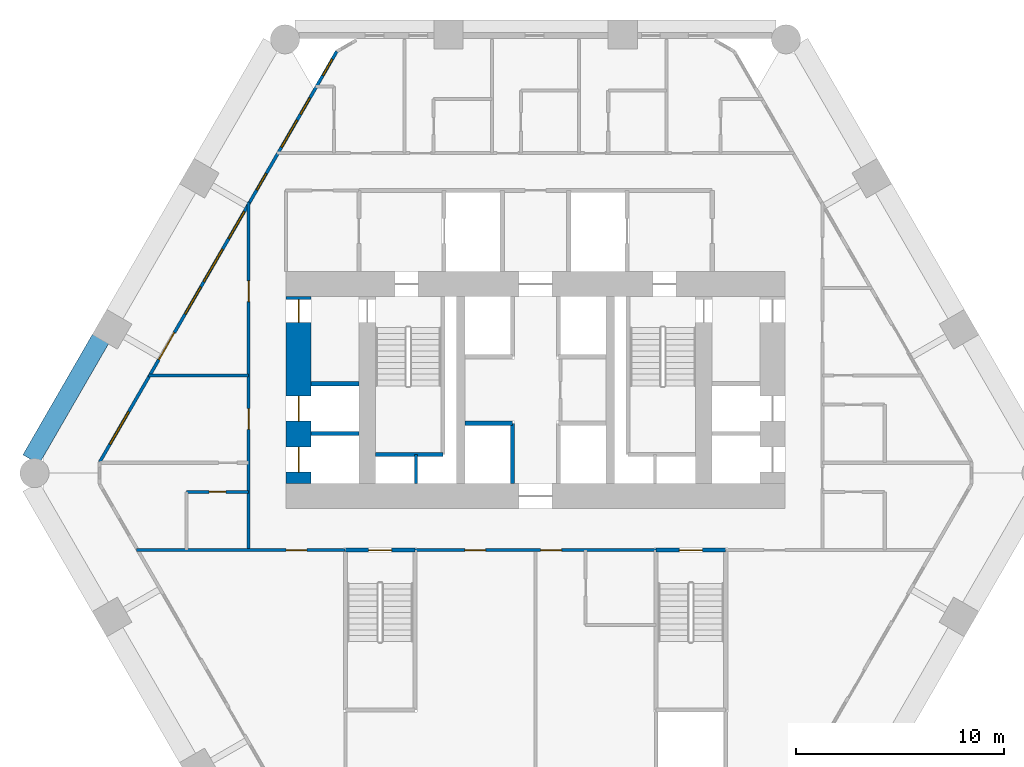
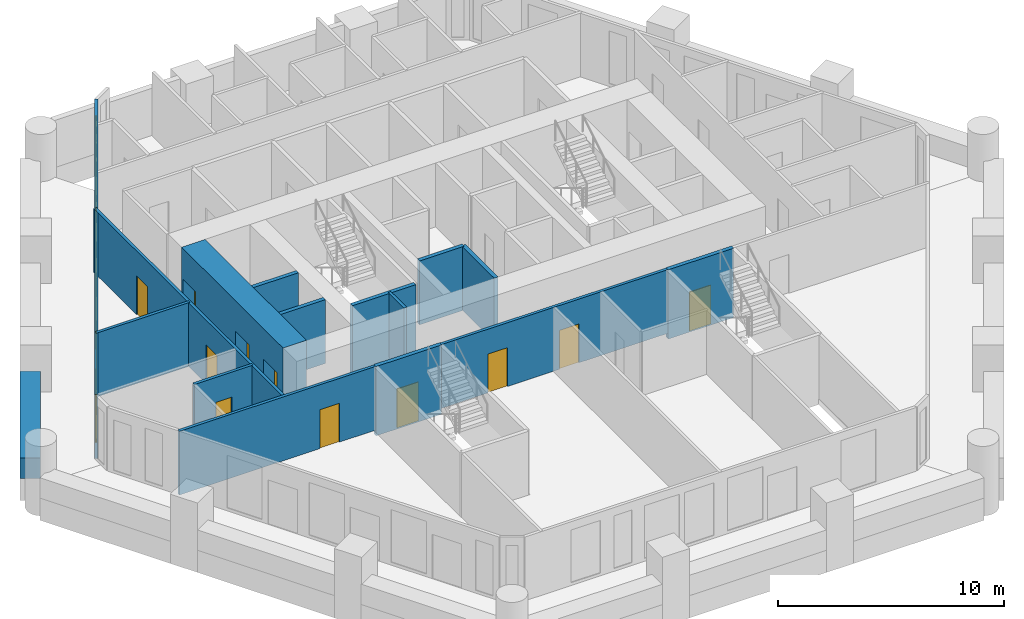
# One storey, part 3 of 8: 16 walls, 12 doors, 8 windows, 20 openings.
"""IFC4 building model written with IfcOpenShell, lengths in metres."""

from ifc_helpers import new_model, si_unit, direction, frame, frame_2d, origin, place, context, subcontext, project, spatial, rectangle, extrude, material, layer, layer_set, type_object, element, fill, save


model = new_model("IFC4")

# Units and contexts
model_context = context("Model", 3, precision=1e-05, world=origin(), true_north=direction((0.0, 1.0)))
body_context = subcontext(model_context, "Body", "Model", "MODEL_VIEW")
ifc_project = project(units=[si_unit("LENGTHUNIT", "METRE"), si_unit("AREAUNIT", "SQUARE_METRE"), si_unit("VOLUMEUNIT", "CUBIC_METRE"), si_unit("PLANEANGLEUNIT", "RADIAN"), si_unit("MASSUNIT", "GRAM", prefix="KILO")], contexts=[model_context])

# Site, building, storey
site_placement = place(None, origin())
site = spatial("IfcSite", under=ifc_project, at=site_placement, CompositionType="ELEMENT")
building_placement = place(site_placement, origin())
building = spatial("IfcBuilding", under=site, at=building_placement, Name="Ostrander Bayou Hotel Tower", CompositionType="ELEMENT")
storey_placement = place(building_placement, frame((0.0, 0.0, 28.0)))
storey = spatial("IfcBuildingStorey", under=building, at=storey_placement, Name="L06", CompositionType="ELEMENT", Elevation=28.0)

# Wall, openings, doors
ifc_material_1 = material(Name="Concrete f'c 70 MPa", Category="concrete")
ifc_layer_1 = layer(ifc_material_1, 1.199951171875)
ifc_layer_set_1 = layer_set([ifc_layer_1], Name="CW1 core wall 1200 mm f'c 70 MPa")
wall_type_1 = type_object("IfcWallType", Name="CW1 core wall 1200 mm f'c 70 MPa", PredefinedType="SHEAR", material=ifc_layer_set_1)
wall_1_placement = place(storey_placement, frame((-11.39990234375, -0.5, -0.300048828125), z_axis=(0.0, 0.0, 1.0), x_axis=(0.0, 1.0, 0.0)))
wall_1 = element("IfcWall", 1, at=wall_1_placement, inside=storey, type_object=wall_type_1, Name="CW1 L06 RW", PredefinedType="SHEAR", context=body_context, shape_type="SweptSolid", body=[
    extrude(rectangle(XDim=9.0, YDim=1.199951171875, at=frame_2d((4.5, 0.0))), origin(), (0.0, 0.0, 1.0), 3.75),
])
opening_1_placement = place(wall_1_placement, frame((7.75, 0.0, 0.0)))
opening_1 = element("IfcOpeningElement", 2, at=opening_1_placement, cuts=wall_1, Name="Opening T06-015", PredefinedType="OPENING", context=body_context, shape_type="SweptSolid", body=[
    extrude(rectangle(XDim=1.10009765625, YDim=2.10009765625, at=frame_2d((0.550048828125, 1.050048828125))), frame((0.0, 0.60009765625, 0.0), z_axis=(0.0, -1.0, 0.0), x_axis=(1.0, 0.0, 0.0)), (0.0, 0.0, 1.0), 1.199951171875),
])
opening_2_placement = place(wall_1_placement, frame((0.550048828125, 0.0, 0.0)))
opening_2 = element("IfcOpeningElement", 3, at=opening_2_placement, cuts=wall_1, Name="Opening T06-016", PredefinedType="OPENING", context=body_context, shape_type="SweptSolid", body=[
    extrude(rectangle(XDim=1.199951171875, YDim=2.10009765625, at=frame_2d((0.60009765625, 1.050048828125))), frame((0.0, 0.60009765625, 0.0), z_axis=(0.0, -1.0, 0.0), x_axis=(1.0, 0.0, 0.0)), (0.0, 0.0, 1.0), 1.199951171875),
])
opening_3_placement = place(wall_1_placement, frame((3.0, 0.0, 0.0)))
opening_3 = element("IfcOpeningElement", 4, at=opening_3_placement, cuts=wall_1, Name="Opening T06-017", PredefinedType="OPENING", context=body_context, shape_type="SweptSolid", body=[
    extrude(rectangle(XDim=1.199951171875, YDim=2.10009765625, at=frame_2d((0.60009765625, 1.050048828125))), frame((0.0, 0.60009765625, 0.0), z_axis=(0.0, -1.0, 0.0), x_axis=(1.0, 0.0, 0.0)), (0.0, 0.0, 1.0), 1.199951171875),
])
ifc_material_2 = material(Name="Timber door leaf", Category="wood")
door_type_1 = type_object("IfcDoorType", Name="D5 stair door 1100 x 2100 mm, 90 minute", OperationType="SINGLE_SWING_LEFT", PredefinedType="DOOR", material=ifc_material_2)
door_1_placement = place(opening_1_placement, origin())
door_1 = element("IfcDoor", 5, at=door_1_placement, inside=storey, type_object=door_type_1, Name="dr:L06:015", OperationType="SINGLE_SWING_LEFT", OverallHeight=2.10009765625, OverallWidth=1.10009765625, PredefinedType="DOOR", context=body_context, shape_type="SweptSolid", body=[
    extrude(rectangle(XDim=1.10009765625, YDim=2.10009765625, at=frame_2d((0.550048828125, 1.050048828125))), frame((0.0, 0.02490234375, 0.0), z_axis=(0.0, -1.0, 0.0), x_axis=(1.0, 0.0, 0.0)), (0.0, 0.0, 1.0), 0.050048828125),
])
fill(opening_1, door_1)
ifc_material_3 = material(Name="Stainless steel sliding door", Category="steel")
door_type_2 = type_object("IfcDoorType", Name="LD1 lift landing door 1200 x 2100 mm", OperationType="SINGLE_SWING_LEFT", PredefinedType="DOOR", material=ifc_material_3)
door_2_placement = place(opening_2_placement, origin())
door_2 = element("IfcDoor", 6, at=door_2_placement, inside=storey, type_object=door_type_2, Name="dr:L06:016", OperationType="SLIDING_TO_LEFT", OverallHeight=2.10009765625, OverallWidth=1.199951171875, PredefinedType="DOOR", context=body_context, shape_type="SweptSolid", body=[
    extrude(rectangle(XDim=1.199951171875, YDim=2.10009765625, at=frame_2d((0.60009765625, 1.050048828125))), frame((0.0, 0.02490234375, 0.0), z_axis=(0.0, -1.0, 0.0), x_axis=(1.0, 0.0, 0.0)), (0.0, 0.0, 1.0), 0.050048828125),
])
fill(opening_2, door_2)
door_3_placement = place(opening_3_placement, origin())
door_3 = element("IfcDoor", 7, at=door_3_placement, inside=storey, type_object=door_type_2, Name="dr:L06:017", OperationType="SLIDING_TO_LEFT", OverallHeight=2.10009765625, OverallWidth=1.199951171875, PredefinedType="DOOR", context=body_context, shape_type="SweptSolid", body=[
    extrude(rectangle(XDim=1.199951171875, YDim=2.10009765625, at=frame_2d((0.60009765625, 1.050048828125))), frame((0.0, 0.02490234375, 0.0), z_axis=(0.0, -1.0, 0.0), x_axis=(1.0, 0.0, 0.0)), (0.0, 0.0, 1.0), 0.050048828125),
])
fill(opening_3, door_3)

# Wall, openings, door, windows
ifc_material_4 = material(Name="Aluminium framed insulated wall", Category="aluminium")
ifc_layer_2 = layer(ifc_material_4, 0.14990234375)
ifc_layer_set_2 = layer_set([ifc_layer_2], Name="GW1 glass-line wall 150 mm")
wall_type_2 = type_object("IfcWallType", Name="GW1 glass-line wall 150 mm", PredefinedType="SOLIDWALL", material=ifc_layer_set_2)
wall_2_placement = place(storey_placement, frame((-9.5595703125, 20.29248046875, 0.0), z_axis=(0.0, 0.0, 1.0), x_axis=(-0.500000010132, -0.866025397935, 0.0)))
wall_2 = element("IfcWall", 8, at=wall_2_placement, inside=storey, type_object=wall_type_2, Name="GW1 L06 NW 1", PredefinedType="SOLIDWALL", context=body_context, shape_type="SweptSolid", body=[
    extrude(rectangle(XDim=22.81689453125, YDim=0.14990234375, at=frame_2d((11.408447265625, 0.0))), origin(), (0.0, 0.0, 1.0), 3.449951171875),
])
opening_4_placement = place(wall_2_placement, frame((2.593994140625, 0.0, 0.14990234375)))
opening_4 = element("IfcOpeningElement", 9, at=opening_4_placement, cuts=wall_2, Name="Opening W15", PredefinedType="OPENING", context=body_context, shape_type="SweptSolid", body=[
    extrude(rectangle(XDim=0.89990234375, YDim=2.85009765625, at=frame_2d((0.449951171875, 1.425048828125))), frame((0.0, 0.074951171875, 0.0), z_axis=(0.0, -1.0, 0.0), x_axis=(1.0, 0.0, 0.0)), (0.0, 0.0, 1.0), 0.14990234375),
])
opening_5_placement = place(wall_2_placement, frame((3.8251953125, 0.0, 0.14990234375)))
opening_5 = element("IfcOpeningElement", 10, at=opening_5_placement, cuts=wall_2, Name="Opening W11", PredefinedType="OPENING", context=body_context, shape_type="SweptSolid", body=[
    extrude(rectangle(XDim=1.5, YDim=2.85009765625, at=frame_2d((0.75, 1.425048828125))), frame((0.0, 0.074951171875, 0.0), z_axis=(0.0, -1.0, 0.0), x_axis=(1.0, 0.0, 0.0)), (0.0, 0.0, 1.0), 0.14990234375),
])
opening_6_placement = place(wall_2_placement, frame((6.794189453125, 0.0, 0.14990234375)))
opening_6 = element("IfcOpeningElement", 11, at=opening_6_placement, cuts=wall_2, Name="Opening W15", PredefinedType="OPENING", context=body_context, shape_type="SweptSolid", body=[
    extrude(rectangle(XDim=0.89990234375, YDim=2.85009765625, at=frame_2d((0.449951171875, 1.425048828125))), frame((0.0, 0.074951171875, 0.0), z_axis=(0.0, -1.0, 0.0), x_axis=(1.0, 0.0, 0.0)), (0.0, 0.0, 1.0), 0.14990234375),
])
opening_7_placement = place(wall_2_placement, frame((8.89404296875, 0.0, 0.14990234375)))
opening_7 = element("IfcOpeningElement", 12, at=opening_7_placement, cuts=wall_2, Name="Opening W11", PredefinedType="OPENING", context=body_context, shape_type="SweptSolid", body=[
    extrude(rectangle(XDim=1.5, YDim=2.85009765625, at=frame_2d((0.75, 1.425048828125))), frame((0.0, 0.074951171875, 0.0), z_axis=(0.0, -1.0, 0.0), x_axis=(1.0, 0.0, 0.0)), (0.0, 0.0, 1.0), 0.14990234375),
])
opening_8_placement = place(wall_2_placement, frame((10.994140625, 0.0, 0.14990234375)))
opening_8 = element("IfcOpeningElement", 13, at=opening_8_placement, cuts=wall_2, Name="Opening W1", PredefinedType="OPENING", context=body_context, shape_type="SweptSolid", body=[
    extrude(rectangle(XDim=1.800048828125, YDim=2.85009765625, at=frame_2d((0.89990234375, 1.425048828125))), frame((0.0, 0.074951171875, 0.0), z_axis=(0.0, -1.0, 0.0), x_axis=(1.0, 0.0, 0.0)), (0.0, 0.0, 1.0), 0.14990234375),
])
opening_9_placement = place(wall_2_placement, frame((13.093994140625, 0.0, 0.14990234375)))
opening_9 = element("IfcOpeningElement", 14, at=opening_9_placement, cuts=wall_2, Name="Opening W11", PredefinedType="OPENING", context=body_context, shape_type="SweptSolid", body=[
    extrude(rectangle(XDim=1.5, YDim=2.85009765625, at=frame_2d((0.75, 1.425048828125))), frame((0.0, 0.074951171875, 0.0), z_axis=(0.0, -1.0, 0.0), x_axis=(1.0, 0.0, 0.0)), (0.0, 0.0, 1.0), 0.14990234375),
])
opening_10_placement = place(wall_2_placement, frame((15.630859375, 0.0, 0.0)))
opening_10 = element("IfcOpeningElement", 15, at=opening_10_placement, cuts=wall_2, Name="Opening T06-800", PredefinedType="OPENING", context=body_context, shape_type="SweptSolid", body=[
    extrude(rectangle(XDim=1.5, YDim=2.39990234375, at=frame_2d((0.75, 1.199951171875))), frame((0.0, 0.074951171875, 0.0), z_axis=(0.0, -1.0, 0.0), x_axis=(1.0, 0.0, 0.0)), (0.0, 0.0, 1.0), 0.14990234375),
])
opening_11_placement = place(wall_2_placement, frame((0.440185546875, 0.0, 0.14990234375)))
opening_11 = element("IfcOpeningElement", 16, at=opening_11_placement, cuts=wall_2, Name="Opening W15", PredefinedType="OPENING", context=body_context, shape_type="SweptSolid", body=[
    extrude(rectangle(XDim=0.89990234375, YDim=2.72998046875, at=frame_2d((0.449951171875, 1.364990234375))), frame((0.0, 0.074951171875, 0.0), z_axis=(0.0, -1.0, 0.0), x_axis=(1.0, 0.0, 0.0)), (0.0, 0.0, 1.0), 0.14990234375),
])
opening_12_placement = place(wall_2_placement, frame((20.024169921875, 0.0, 0.14990234375)))
opening_12 = element("IfcOpeningElement", 17, at=opening_12_placement, cuts=wall_2, Name="Opening W1", PredefinedType="OPENING", context=body_context, shape_type="SweptSolid", body=[
    extrude(rectangle(XDim=1.800048828125, YDim=2.72998046875, at=frame_2d((0.89990234375, 1.364990234375))), frame((0.0, 0.074951171875, 0.0), z_axis=(0.0, -1.0, 0.0), x_axis=(1.0, 0.0, 0.0)), (0.0, 0.0, 1.0), 0.14990234375),
])
ifc_material_5 = material(Name="Aluminium and clear glass", Category="aluminium")
door_type_3 = type_object("IfcDoorType", Name="SD1 sliding glass door 1500 mm, zone 1", OperationType="SLIDING_TO_LEFT", PredefinedType="DOOR", material=ifc_material_5)
door_4_placement = place(opening_10_placement, origin())
door_4 = element("IfcDoor", 18, at=door_4_placement, inside=storey, type_object=door_type_3, Name="SD1 L06 NW 4", OperationType="SLIDING_TO_RIGHT", OverallHeight=2.39990234375, OverallWidth=1.5, PredefinedType="DOOR", context=body_context, shape_type="SweptSolid", body=[
    extrude(rectangle(XDim=1.5, YDim=2.39990234375, at=frame_2d((0.75, 1.199951171875))), frame((0.0, 0.02490234375, 0.0), z_axis=(0.0, -1.0, 0.0), x_axis=(1.0, 0.0, 0.0)), (0.0, 0.0, 1.0), 0.050048828125),
])
fill(opening_10, door_4)
ifc_material_6 = material(Name="Aluminium and clear glass", Category="aluminium")
window_type_1 = type_object("IfcWindowType", Name="W1 fixed window 1800 mm, zone 1", PartitioningType="SINGLE_PANEL", PredefinedType="WINDOW", material=ifc_material_6)
window_1_placement = place(opening_8_placement, origin())
window_1 = element("IfcWindow", 19, at=window_1_placement, inside=storey, type_object=window_type_1, Name="W1 L06 NW 3", OverallHeight=2.85009765625, OverallWidth=1.800048828125, PartitioningType="SINGLE_PANEL", PredefinedType="WINDOW", context=body_context, shape_type="SweptSolid", body=[
    extrude(rectangle(XDim=1.800048828125, YDim=2.85009765625, at=frame_2d((0.89990234375, 1.425048828125))), frame((0.0, 0.030029296875, 0.0), z_axis=(0.0, -1.0, 0.0), x_axis=(1.0, 0.0, 0.0)), (0.0, 0.0, 1.0), 0.06005859375),
])
fill(opening_8, window_1)
window_2_placement = place(opening_12_placement, origin())
window_2 = element("IfcWindow", 20, at=window_2_placement, inside=storey, type_object=window_type_1, Name="W1 L06 NW E21", OverallHeight=2.72998046875, OverallWidth=1.800048828125, PartitioningType="SINGLE_PANEL", PredefinedType="WINDOW", context=body_context, shape_type="SweptSolid", body=[
    extrude(rectangle(XDim=1.800048828125, YDim=2.72998046875, at=frame_2d((0.89990234375, 1.364990234375))), frame((0.0, 0.030029296875, 0.0), z_axis=(0.0, -1.0, 0.0), x_axis=(1.0, 0.0, 0.0)), (0.0, 0.0, 1.0), 0.06005859375),
])
fill(opening_12, window_2)
ifc_material_7 = material(Name="Aluminium and clear glass", Category="aluminium")
window_type_2 = type_object("IfcWindowType", Name="W11 fixed window 1500 mm, bath bay, zone 1", PartitioningType="SINGLE_PANEL", PredefinedType="WINDOW", material=ifc_material_7)
window_3_placement = place(opening_5_placement, origin())
window_3 = element("IfcWindow", 21, at=window_3_placement, inside=storey, type_object=window_type_2, Name="W11 L06 NW 1", OverallHeight=2.85009765625, OverallWidth=1.5, PartitioningType="SINGLE_PANEL", PredefinedType="WINDOW", context=body_context, shape_type="SweptSolid", body=[
    extrude(rectangle(XDim=1.5, YDim=2.85009765625, at=frame_2d((0.75, 1.425048828125))), frame((0.0, 0.030029296875, 0.0), z_axis=(0.0, -1.0, 0.0), x_axis=(1.0, 0.0, 0.0)), (0.0, 0.0, 1.0), 0.06005859375),
])
fill(opening_5, window_3)
window_4_placement = place(opening_7_placement, origin())
window_4 = element("IfcWindow", 22, at=window_4_placement, inside=storey, type_object=window_type_2, Name="W11 L06 NW 2", OverallHeight=2.85009765625, OverallWidth=1.5, PartitioningType="SINGLE_PANEL", PredefinedType="WINDOW", context=body_context, shape_type="SweptSolid", body=[
    extrude(rectangle(XDim=1.5, YDim=2.85009765625, at=frame_2d((0.75, 1.425048828125))), frame((0.0, 0.030029296875, 0.0), z_axis=(0.0, -1.0, 0.0), x_axis=(1.0, 0.0, 0.0)), (0.0, 0.0, 1.0), 0.06005859375),
])
fill(opening_7, window_4)
window_5_placement = place(opening_9_placement, origin())
window_5 = element("IfcWindow", 23, at=window_5_placement, inside=storey, type_object=window_type_2, Name="W11 L06 NW 3", OverallHeight=2.85009765625, OverallWidth=1.5, PartitioningType="SINGLE_PANEL", PredefinedType="WINDOW", context=body_context, shape_type="SweptSolid", body=[
    extrude(rectangle(XDim=1.5, YDim=2.85009765625, at=frame_2d((0.75, 1.425048828125))), frame((0.0, 0.030029296875, 0.0), z_axis=(0.0, -1.0, 0.0), x_axis=(1.0, 0.0, 0.0)), (0.0, 0.0, 1.0), 0.06005859375),
])
fill(opening_9, window_5)
ifc_material_8 = material(Name="Aluminium and clear glass", Category="aluminium")
window_type_3 = type_object("IfcWindowType", Name="W15 window 900 mm, zone 1", PartitioningType="SINGLE_PANEL", PredefinedType="WINDOW", material=ifc_material_8)
window_6_placement = place(opening_4_placement, origin())
window_6 = element("IfcWindow", 24, at=window_6_placement, inside=storey, type_object=window_type_3, Name="W15 L06 NW 1", OverallHeight=2.85009765625, OverallWidth=0.89990234375, PartitioningType="SINGLE_PANEL", PredefinedType="WINDOW", context=body_context, shape_type="SweptSolid", body=[
    extrude(rectangle(XDim=0.89990234375, YDim=2.85009765625, at=frame_2d((0.449951171875, 1.425048828125))), frame((0.0, 0.030029296875, 0.0), z_axis=(0.0, -1.0, 0.0), x_axis=(1.0, 0.0, 0.0)), (0.0, 0.0, 1.0), 0.06005859375),
])
fill(opening_4, window_6)
window_7_placement = place(opening_6_placement, origin())
window_7 = element("IfcWindow", 25, at=window_7_placement, inside=storey, type_object=window_type_3, Name="W15 L06 NW 2", OverallHeight=2.85009765625, OverallWidth=0.89990234375, PartitioningType="SINGLE_PANEL", PredefinedType="WINDOW", context=body_context, shape_type="SweptSolid", body=[
    extrude(rectangle(XDim=0.89990234375, YDim=2.85009765625, at=frame_2d((0.449951171875, 1.425048828125))), frame((0.0, 0.030029296875, 0.0), z_axis=(0.0, -1.0, 0.0), x_axis=(1.0, 0.0, 0.0)), (0.0, 0.0, 1.0), 0.06005859375),
])
fill(opening_6, window_7)
window_8_placement = place(opening_11_placement, origin())
window_8 = element("IfcWindow", 26, at=window_8_placement, inside=storey, type_object=window_type_3, Name="W15 L06 NW E11", OverallHeight=2.72998046875, OverallWidth=0.89990234375, PartitioningType="SINGLE_PANEL", PredefinedType="WINDOW", context=body_context, shape_type="SweptSolid", body=[
    extrude(rectangle(XDim=0.89990234375, YDim=2.72998046875, at=frame_2d((0.449951171875, 1.364990234375))), frame((0.0, 0.030029296875, 0.0), z_axis=(0.0, -1.0, 0.0), x_axis=(1.0, 0.0, 0.0)), (0.0, 0.0, 1.0), 0.06005859375),
])
fill(opening_11, window_8)

# Walls
ifc_material_9 = material(Name="Concrete f'c 40 MPa", Category="concrete")
ifc_layer_3 = layer(ifc_material_9, 0.89990234375)
ifc_layer_set_3 = layer_set([ifc_layer_3], Name="PA1 stone-faced parapet 900 mm")
wall_type_3 = type_object("IfcWallType", Name="PA1 stone-faced parapet 900 mm", PredefinedType="PARAPET", material=ifc_layer_set_3)
wall_3_placement = place(storey_placement, frame((-20.92236328125, 6.46142578125, 0.0), z_axis=(0.0, 0.0, 1.0), x_axis=(-0.500005133765, -0.866022439784, 0.0)))
element("IfcWall", 27, at=wall_3_placement, inside=storey, type_object=wall_type_3, Name="PA1 L06 NW-3", PredefinedType="PARAPET", context=body_context, shape_type="SweptSolid", body=[
    extrude(rectangle(XDim=6.70361328125, YDim=0.89990234375, at=frame_2d((3.351806640625, 0.0))), origin(), (0.0, 0.0, 1.0), 1.10009765625),
])
ifc_material_10 = material(Name="Masonry block", Category="masonry")
ifc_layer_4 = layer(ifc_material_10, 0.199951171875)
ifc_layer_set_4 = layer_set([ifc_layer_4], Name="PT6 lift shaft wall 200 mm masonry, 2 hour")
wall_type_4 = type_object("IfcWallType", Name="PT6 lift shaft wall 200 mm masonry, 2 hour", PredefinedType="PARTITIONING", material=ifc_layer_set_4)
wall_4_placement = place(storey_placement, frame((-3.39990234375, 2.39990234375, 0.0), z_axis=(0.0, 0.0, 1.0), x_axis=(1.0, 0.0, 0.0)))
element("IfcWall", 28, at=wall_4_placement, inside=storey, type_object=wall_type_4, Name="cs:L06:001", PredefinedType="PARTITIONING", context=body_context, shape_type="SweptSolid", body=[
    extrude(rectangle(XDim=2.2998046875, YDim=0.199951171875, at=frame_2d((1.14990234375, 0.0))), origin(), (0.0, 0.0, 1.0), 3.449951171875),
])
wall_5_placement = place(storey_placement, frame((-1.10009765625, -0.5, 0.0), z_axis=(0.0, 0.0, 1.0), x_axis=(0.0, 1.0, 0.0)))
element("IfcWall", 29, at=wall_5_placement, inside=storey, type_object=wall_type_4, Name="cs:L06:005", PredefinedType="PARTITIONING", context=body_context, shape_type="SweptSolid", body=[
    extrude(rectangle(XDim=2.89990234375, YDim=0.199951171875, at=frame_2d((1.449951171875, 0.0))), origin(), (0.0, 0.0, 1.0), 3.449951171875),
])
for number, where, z_axis, x_axis, name in (
    (30, (-10.800048828125, 1.89990234375, 0.0), (0.0, 0.0, 1.0), (1.0, 0.0, 0.0), "cs:L06:033"),
    (31, (-10.800048828125, 4.300048828125, 0.0), (0.0, 0.0, 1.0), (1.0, 0.0, 0.0), "cs:L06:034"),
):
    element("IfcWall", number, at=place(storey_placement, frame(where, z_axis=z_axis, x_axis=x_axis)), inside=storey, type_object=wall_type_4, Name=name, PredefinedType="PARTITIONING", context=body_context, shape_type="SweptSolid", body=[
        extrude(rectangle(XDim=2.300048828125, YDim=0.199951171875, at=frame_2d((1.14990234375, 0.0))), origin(), (0.0, 0.0, 1.0), 3.449951171875),
    ])
ifc_material_11 = material(Name="Gypsum board partition", Category="finish")
ifc_layer_5 = layer(ifc_material_11, 0.14990234375)
ifc_layer_set_5 = layer_set([ifc_layer_5], Name="PT7 riser wall 150 mm, 2 hour")
wall_type_5 = type_object("IfcWallType", Name="PT7 riser wall 150 mm, 2 hour", PredefinedType="PARTITIONING", material=ifc_layer_set_5)
wall_6_placement = place(storey_placement, frame((-5.75, -0.5, 0.0), z_axis=(0.0, 0.0, 1.0), x_axis=(0.0, 1.0, 0.0)))
element("IfcWall", 32, at=wall_6_placement, inside=storey, type_object=wall_type_5, Name="cs:L06:011", PredefinedType="PARTITIONING", context=body_context, shape_type="SweptSolid", body=[
    extrude(rectangle(XDim=1.39990234375, YDim=0.14990234375, at=frame_2d((0.699951171875, 0.0))), origin(), (0.0, 0.0, 1.0), 3.449951171875),
])

# Wall, opening, door
ifc_material_12 = material(Name="Gypsum board partition", Category="finish")
ifc_layer_6 = layer(ifc_material_12, 0.14990234375)
ifc_layer_set_6 = layer_set([ifc_layer_6], Name="PT8 service band wall 150 mm, 1 hour")
wall_type_6 = type_object("IfcWallType", Name="PT8 service band wall 150 mm, 1 hour", PredefinedType="PARTITIONING", material=ifc_layer_set_6)
wall_7_placement = place(storey_placement, frame((-19.19091796875, -3.699951171875, 0.0), z_axis=(0.0, 0.0, 1.0), x_axis=(1.0, 0.0, 0.0)))
wall_7 = element("IfcWall", 33, at=wall_7_placement, inside=storey, type_object=wall_type_6, Name="gw:L06:002", PredefinedType="PARTITIONING", context=body_context, shape_type="SweptSolid", body=[
    extrude(rectangle(XDim=10.031005859375, YDim=0.14990234375, at=frame_2d((5.015625, 0.0))), origin(), (0.0, 0.0, 1.0), 3.449951171875),
])
opening_13_placement = place(wall_7_placement, frame((7.19091796875, 0.0, 0.0)))
opening_13 = element("IfcOpeningElement", 34, at=opening_13_placement, cuts=wall_7, Name="Opening T06-401", PredefinedType="OPENING", context=body_context, shape_type="SweptSolid", body=[
    extrude(rectangle(XDim=1.0, YDim=2.10009765625, at=frame_2d((0.5, 1.050048828125))), frame((0.0, 0.074951171875, 0.0), z_axis=(0.0, -1.0, 0.0), x_axis=(1.0, 0.0, 0.0)), (0.0, 0.0, 1.0), 0.14990234375),
])
ifc_material_13 = material(Name="Timber door leaf", Category="wood")
door_type_4 = type_object("IfcDoorType", Name="D15 room door 1000 x 2100 mm", OperationType="SINGLE_SWING_LEFT", PredefinedType="DOOR", material=ifc_material_13)
door_5_placement = place(opening_13_placement, origin())
door_5 = element("IfcDoor", 35, at=door_5_placement, inside=storey, type_object=door_type_4, Name="dr:L06:401", OperationType="SINGLE_SWING_RIGHT", OverallHeight=2.10009765625, OverallWidth=1.0, PredefinedType="DOOR", context=body_context, shape_type="SweptSolid", body=[
    extrude(rectangle(XDim=1.0, YDim=2.10009765625, at=frame_2d((0.5, 1.050048828125))), frame((0.0, 0.02490234375, 0.0), z_axis=(0.0, -1.0, 0.0), x_axis=(1.0, 0.0, 0.0)), (0.0, 0.0, 1.0), 0.050048828125),
])
fill(opening_13, door_5)

# Wall, openings, doors
wall_8_placement = place(storey_placement, frame((-5.7900390625, -3.699951171875, 0.0), z_axis=(0.0, 0.0, 1.0), x_axis=(1.0, 0.0, 0.0)))
wall_8 = element("IfcWall", 36, at=wall_8_placement, inside=storey, type_object=wall_type_6, Name="gw:L06:003", PredefinedType="PARTITIONING", context=body_context, shape_type="SweptSolid", body=[
    extrude(rectangle(XDim=11.580078125, YDim=0.14990234375, at=frame_2d((5.7900390625, 0.0))), origin(), (0.0, 0.0, 1.0), 3.449951171875),
])
opening_14_placement = place(wall_8_placement, frame((2.389892578125, 0.0, 0.0)))
opening_14 = element("IfcOpeningElement", 37, at=opening_14_placement, cuts=wall_8, Name="Opening T06-400", PredefinedType="OPENING", context=body_context, shape_type="SweptSolid", body=[
    extrude(rectangle(XDim=1.0, YDim=2.10009765625, at=frame_2d((0.5, 1.050048828125))), frame((0.0, 0.074951171875, 0.0), z_axis=(0.0, -1.0, 0.0), x_axis=(1.0, 0.0, 0.0)), (0.0, 0.0, 1.0), 0.14990234375),
])
opening_15_placement = place(wall_8_placement, frame((6.0400390625, 0.0, 0.0)))
opening_15 = element("IfcOpeningElement", 38, at=opening_15_placement, cuts=wall_8, Name="Opening T06-402", PredefinedType="OPENING", context=body_context, shape_type="SweptSolid", body=[
    extrude(rectangle(XDim=1.0, YDim=2.10009765625, at=frame_2d((0.5, 1.050048828125))), frame((0.0, 0.074951171875, 0.0), z_axis=(0.0, -1.0, 0.0), x_axis=(1.0, 0.0, 0.0)), (0.0, 0.0, 1.0), 0.14990234375),
])
ifc_material_14 = material(Name="Timber door leaf", Category="wood")
door_type_5 = type_object("IfcDoorType", Name="D1 guest room door 1000 x 2100 mm, 30 minute", OperationType="SINGLE_SWING_LEFT", PredefinedType="DOOR", material=ifc_material_14)
door_6_placement = place(opening_15_placement, origin())
door_6 = element("IfcDoor", 39, at=door_6_placement, inside=storey, type_object=door_type_5, Name="dr:L06:402", OperationType="SINGLE_SWING_LEFT", OverallHeight=2.10009765625, OverallWidth=1.0, PredefinedType="DOOR", context=body_context, shape_type="SweptSolid", body=[
    extrude(rectangle(XDim=1.0, YDim=2.10009765625, at=frame_2d((0.5, 1.050048828125))), frame((0.0, 0.02490234375, 0.0), z_axis=(0.0, -1.0, 0.0), x_axis=(1.0, 0.0, 0.0)), (0.0, 0.0, 1.0), 0.050048828125),
])
fill(opening_15, door_6)
ifc_material_15 = material(Name="Timber door leaf", Category="wood")
door_type_6 = type_object("IfcDoorType", Name="D9 service door 1000 x 2100 mm, 30 minute", OperationType="SINGLE_SWING_LEFT", PredefinedType="DOOR", material=ifc_material_15)
door_7_placement = place(opening_14_placement, origin())
door_7 = element("IfcDoor", 40, at=door_7_placement, inside=storey, type_object=door_type_6, Name="dr:L06:400", OperationType="SINGLE_SWING_RIGHT", OverallHeight=2.10009765625, OverallWidth=1.0, PredefinedType="DOOR", context=body_context, shape_type="SweptSolid", body=[
    extrude(rectangle(XDim=1.0, YDim=2.10009765625, at=frame_2d((0.5, 1.050048828125))), frame((0.0, 0.02490234375, 0.0), z_axis=(0.0, -1.0, 0.0), x_axis=(1.0, 0.0, 0.0)), (0.0, 0.0, 1.0), 0.050048828125),
])
fill(opening_14, door_7)

# Wall, opening, door
wall_9_placement = place(storey_placement, frame((-16.800048828125, -0.89990234375, 0.0), z_axis=(0.0, 0.0, 1.0), x_axis=(1.0, 0.0, 0.0)))
wall_9 = element("IfcWall", 41, at=wall_9_placement, inside=storey, type_object=wall_type_6, Name="gw:L06:005", PredefinedType="PARTITIONING", context=body_context, shape_type="SweptSolid", body=[
    extrude(rectangle(XDim=3.0, YDim=0.14990234375, at=frame_2d((1.5, 0.0))), origin(), (0.0, 0.0, 1.0), 3.449951171875),
])
opening_16_placement = place(wall_9_placement, frame((1.10009765625, 0.0, 0.0)))
opening_16 = element("IfcOpeningElement", 42, at=opening_16_placement, cuts=wall_9, Name="Opening T06-407", PredefinedType="OPENING", context=body_context, shape_type="SweptSolid", body=[
    extrude(rectangle(XDim=0.800048828125, YDim=2.10009765625, at=frame_2d((0.39990234375, 1.050048828125))), frame((0.0, 0.074951171875, 0.0), z_axis=(0.0, -1.0, 0.0), x_axis=(1.0, 0.0, 0.0)), (0.0, 0.0, 1.0), 0.14990234375),
])
ifc_material_16 = material(Name="Timber door leaf", Category="wood")
door_type_7 = type_object("IfcDoorType", Name="D2 bathroom door 800 x 2100 mm", OperationType="SINGLE_SWING_LEFT", PredefinedType="DOOR", material=ifc_material_16)
door_8_placement = place(opening_16_placement, origin())
door_8 = element("IfcDoor", 43, at=door_8_placement, inside=storey, type_object=door_type_7, Name="dr:L06:407", OperationType="SINGLE_SWING_RIGHT", OverallHeight=2.10009765625, OverallWidth=0.800048828125, PredefinedType="DOOR", context=body_context, shape_type="SweptSolid", body=[
    extrude(rectangle(XDim=0.800048828125, YDim=2.10009765625, at=frame_2d((0.39990234375, 1.050048828125))), frame((0.0, 0.02490234375, 0.0), z_axis=(0.0, -1.0, 0.0), x_axis=(1.0, 0.0, 0.0)), (0.0, 0.0, 1.0), 0.050048828125),
])
fill(opening_16, door_8)

# Wall
wall_10_placement = place(storey_placement, frame((-18.614013671875, 4.699951171875, 0.0), z_axis=(0.0, 0.0, 1.0), x_axis=(1.0, 0.0, 0.0)))
element("IfcWall", 44, at=wall_10_placement, inside=storey, type_object=wall_type_6, Name="gw:L06:010", PredefinedType="PARTITIONING", context=body_context, shape_type="SweptSolid", body=[
    extrude(rectangle(XDim=4.81396484375, YDim=0.14990234375, at=frame_2d((2.406982421875, 0.0))), origin(), (0.0, 0.0, 1.0), 3.449951171875),
])

# Wall, openings, doors
wall_11_placement = place(storey_placement, frame((-13.800048828125, -3.699951171875, 0.0), z_axis=(0.0, 0.0, 1.0), x_axis=(0.0, 1.0, 0.0)))
wall_11 = element("IfcWall", 45, at=wall_11_placement, inside=storey, type_object=wall_type_6, Name="gw:L06:038", PredefinedType="PARTITIONING", context=body_context, shape_type="SweptSolid", body=[
    extrude(rectangle(XDim=16.738037109375, YDim=0.14990234375, at=frame_2d((8.369140625, 0.0))), origin(), (0.0, 0.0, 1.0), 3.449951171875),
])
opening_17_placement = place(wall_11_placement, frame((5.800048828125, 0.0, 0.0)))
opening_17 = element("IfcOpeningElement", 46, at=opening_17_placement, cuts=wall_11, Name="Opening T06-405", PredefinedType="OPENING", context=body_context, shape_type="SweptSolid", body=[
    extrude(rectangle(XDim=1.0, YDim=2.10009765625, at=frame_2d((0.5, 1.050048828125))), frame((0.0, 0.074951171875, 0.0), z_axis=(0.0, -1.0, 0.0), x_axis=(1.0, 0.0, 0.0)), (0.0, 0.0, 1.0), 0.14990234375),
])
opening_18_placement = place(wall_11_placement, frame((11.947998046875, 0.0, 0.0)))
opening_18 = element("IfcOpeningElement", 47, at=opening_18_placement, cuts=wall_11, Name="Opening T06-408", PredefinedType="OPENING", context=body_context, shape_type="SweptSolid", body=[
    extrude(rectangle(XDim=1.0, YDim=2.10009765625, at=frame_2d((0.5, 1.050048828125))), frame((0.0, 0.074951171875, 0.0), z_axis=(0.0, -1.0, 0.0), x_axis=(1.0, 0.0, 0.0)), (0.0, 0.0, 1.0), 0.14990234375),
])
door_9_placement = place(opening_17_placement, origin())
door_9 = element("IfcDoor", 48, at=door_9_placement, inside=storey, type_object=door_type_5, Name="dr:L06:405", OperationType="SINGLE_SWING_RIGHT", OverallHeight=2.10009765625, OverallWidth=1.0, PredefinedType="DOOR", context=body_context, shape_type="SweptSolid", body=[
    extrude(rectangle(XDim=1.0, YDim=2.10009765625, at=frame_2d((0.5, 1.050048828125))), frame((0.0, 0.02490234375, 0.0), z_axis=(0.0, -1.0, 0.0), x_axis=(1.0, 0.0, 0.0)), (0.0, 0.0, 1.0), 0.050048828125),
])
fill(opening_17, door_9)
door_10_placement = place(opening_18_placement, origin())
door_10 = element("IfcDoor", 49, at=door_10_placement, inside=storey, type_object=door_type_6, Name="dr:L06:408", OperationType="SINGLE_SWING_LEFT", OverallHeight=2.10009765625, OverallWidth=1.0, PredefinedType="DOOR", context=body_context, shape_type="SweptSolid", body=[
    extrude(rectangle(XDim=1.0, YDim=2.10009765625, at=frame_2d((0.5, 1.050048828125))), frame((0.0, 0.02490234375, 0.0), z_axis=(0.0, -1.0, 0.0), x_axis=(1.0, 0.0, 0.0)), (0.0, 0.0, 1.0), 0.050048828125),
])
fill(opening_18, door_10)

# Wall
ifc_material_17 = material(Name="Concrete f'c 45 MPa", Category="concrete")
ifc_layer_7 = layer(ifc_material_17, 0.199951171875)
ifc_layer_set_7 = layer_set([ifc_layer_7], Name="SW5 stair enclosure wall 200 mm f'c 45 MPa")
wall_type_7 = type_object("IfcWallType", Name="SW5 stair enclosure wall 200 mm f'c 45 MPa", PredefinedType="SOLIDWALL", material=ifc_layer_set_7)
wall_12_placement = place(storey_placement, frame((-7.699951171875, 0.89990234375, -0.300048828125), z_axis=(0.0, 0.0, 1.0), x_axis=(1.0, 0.0, 0.0)))
element("IfcWall", 50, at=wall_12_placement, inside=storey, type_object=wall_type_7, Name="cs:L06:010", PredefinedType="SOLIDWALL", context=body_context, shape_type="SweptSolid", body=[
    extrude(rectangle(XDim=3.25, YDim=0.199951171875, at=frame_2d((1.625, 0.0))), origin(), (0.0, 0.0, 1.0), 3.75),
])

# Wall, opening, door
wall_13_placement = place(storey_placement, frame((5.800048828125, -3.699951171875, -0.300048828125), z_axis=(0.0, 0.0, 1.0), x_axis=(1.0, 0.0, 0.0)))
wall_13 = element("IfcWall", 51, at=wall_13_placement, inside=storey, type_object=wall_type_7, Name="cs:L06:015", PredefinedType="SOLIDWALL", context=body_context, shape_type="SweptSolid", body=[
    extrude(rectangle(XDim=3.349853515625, YDim=0.199951171875, at=frame_2d((1.6748046875, 0.0))), origin(), (0.0, 0.0, 1.0), 3.75),
])
opening_19_placement = place(wall_13_placement, frame((1.125, 0.0, 0.0)))
opening_19 = element("IfcOpeningElement", 52, at=opening_19_placement, cuts=wall_13, Name="Opening T06-007", PredefinedType="OPENING", context=body_context, shape_type="SweptSolid", body=[
    extrude(rectangle(XDim=1.10009765625, YDim=2.10009765625, at=frame_2d((0.550048828125, 1.050048828125))), frame((0.0, 0.10009765625, 0.0), z_axis=(0.0, -1.0, 0.0), x_axis=(1.0, 0.0, 0.0)), (0.0, 0.0, 1.0), 0.199951171875),
])
door_11_placement = place(opening_19_placement, origin())
door_11 = element("IfcDoor", 53, at=door_11_placement, inside=storey, type_object=door_type_1, Name="dr:L06:007", OperationType="SINGLE_SWING_LEFT", OverallHeight=2.10009765625, OverallWidth=1.10009765625, PredefinedType="DOOR", context=body_context, shape_type="SweptSolid", body=[
    extrude(rectangle(XDim=1.10009765625, YDim=2.10009765625, at=frame_2d((0.550048828125, 1.050048828125))), frame((0.0, 0.02490234375, 0.0), z_axis=(0.0, -1.0, 0.0), x_axis=(1.0, 0.0, 0.0)), (0.0, 0.0, 1.0), 0.050048828125),
])
fill(opening_19, door_11)

wall_14_placement = place(storey_placement, frame((-9.14990234375, -3.699951171875, -0.300048828125), z_axis=(0.0, 0.0, 1.0), x_axis=(1.0, 0.0, 0.0)))
wall_14 = element("IfcWall", 54, at=wall_14_placement, inside=storey, type_object=wall_type_7, Name="cs:L06:021", PredefinedType="SOLIDWALL", context=body_context, shape_type="SweptSolid", body=[
    extrude(rectangle(XDim=3.349853515625, YDim=0.199951171875, at=frame_2d((1.6748046875, 0.0))), origin(), (0.0, 0.0, 1.0), 3.75),
])
opening_20_placement = place(wall_14_placement, frame((1.125, 0.0, 0.0)))
opening_20 = element("IfcOpeningElement", 55, at=opening_20_placement, cuts=wall_14, Name="Opening T06-008", PredefinedType="OPENING", context=body_context, shape_type="SweptSolid", body=[
    extrude(rectangle(XDim=1.10009765625, YDim=2.10009765625, at=frame_2d((0.550048828125, 1.050048828125))), frame((0.0, 0.10009765625, 0.0), z_axis=(0.0, -1.0, 0.0), x_axis=(1.0, 0.0, 0.0)), (0.0, 0.0, 1.0), 0.199951171875),
])
door_12_placement = place(opening_20_placement, origin())
door_12 = element("IfcDoor", 56, at=door_12_placement, inside=storey, type_object=door_type_1, Name="dr:L06:008", OperationType="SINGLE_SWING_LEFT", OverallHeight=2.10009765625, OverallWidth=1.10009765625, PredefinedType="DOOR", context=body_context, shape_type="SweptSolid", body=[
    extrude(rectangle(XDim=1.10009765625, YDim=2.10009765625, at=frame_2d((0.550048828125, 1.050048828125))), frame((0.0, 0.02490234375, 0.0), z_axis=(0.0, -1.0, 0.0), x_axis=(1.0, 0.0, 0.0)), (0.0, 0.0, 1.0), 0.050048828125),
])
fill(opening_20, door_12)

save(model, "model.ifc")
